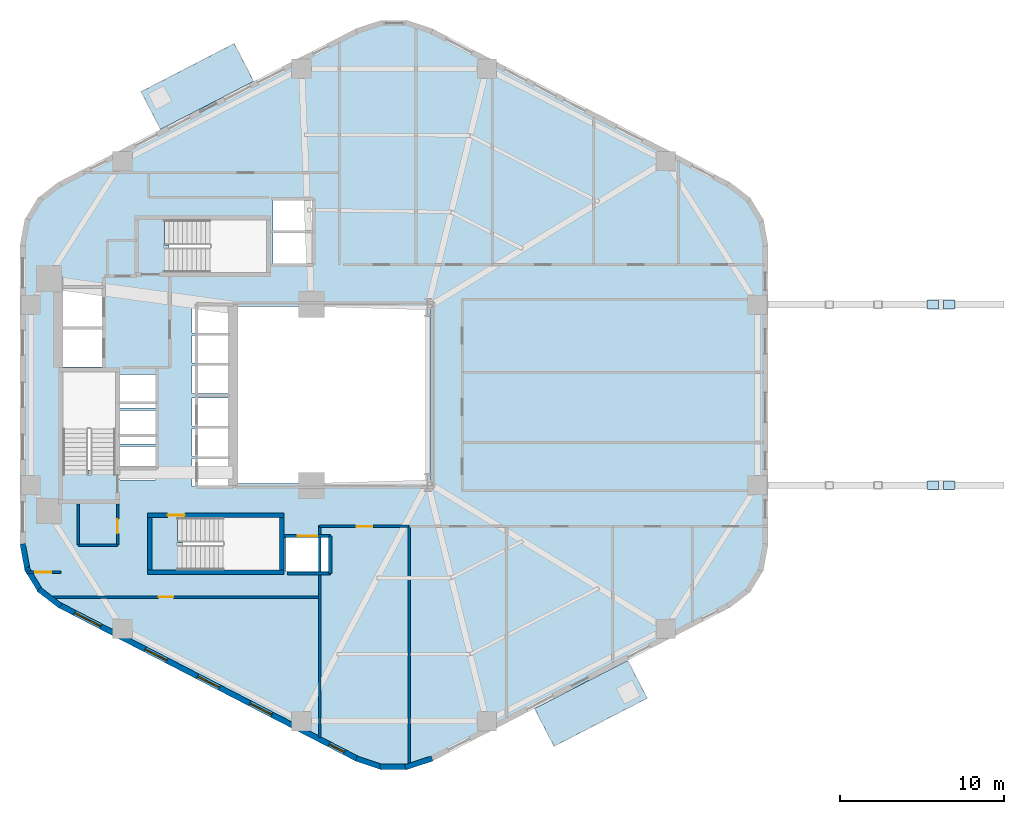
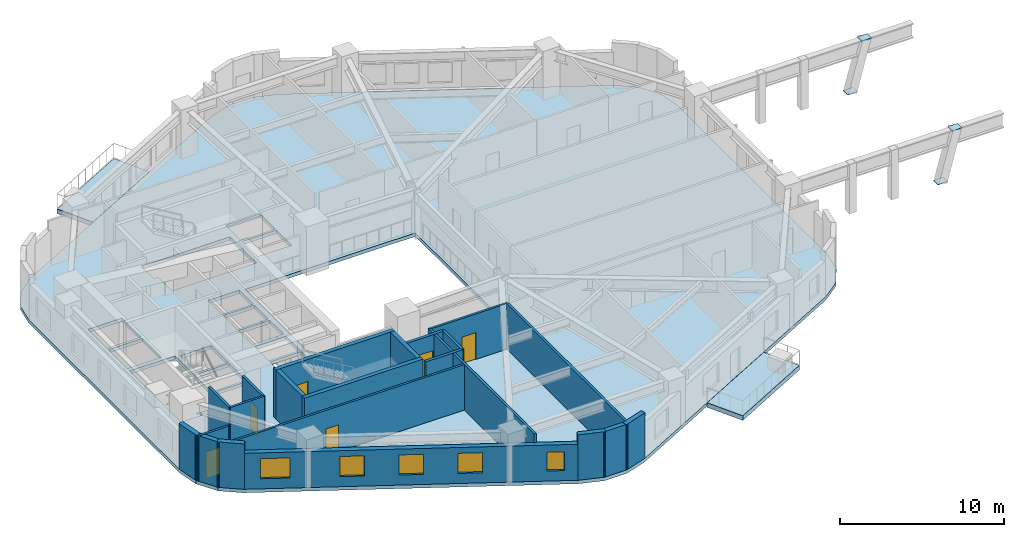
# One storey, part 2 of 8: 22 walls, 6 doors, 5 windows, 4 plates, 3 slabs, 11 openings.
"""IFC4 building model written with IfcOpenShell, lengths in metres."""

from ifc_helpers import new_model, si_unit, direction, frame, frame_2d, origin, origin_2d, place, context, subcontext, project, spatial, polyline, rectangle, outline, extrude, material, layer, layer_set, type_object, element, fill, save


model = new_model("IFC4")

# Units and contexts
model_context = context("Model", 3, precision=1e-05, world=origin(), true_north=direction((0.0, 1.0)))
body_context = subcontext(model_context, "Body", "Model", "MODEL_VIEW")
ifc_project = project(units=[si_unit("LENGTHUNIT", "METRE"), si_unit("AREAUNIT", "SQUARE_METRE"), si_unit("VOLUMEUNIT", "CUBIC_METRE"), si_unit("PLANEANGLEUNIT", "RADIAN"), si_unit("MASSUNIT", "GRAM", prefix="KILO"), si_unit("THERMODYNAMICTEMPERATUREUNIT", "KELVIN"), si_unit("POWERUNIT", "WATT")], contexts=[model_context])

# Site, building, storey
site_placement = place(None, origin())
site = spatial("IfcSite", under=ifc_project, at=site_placement, CompositionType="ELEMENT")
building_placement = place(site_placement, origin())
building = spatial("IfcBuilding", under=site, at=building_placement, Name="Skarre Station Tower", CompositionType="ELEMENT")
storey_placement = place(building_placement, frame((0.0, 0.0, 45.25)))
storey = spatial("IfcBuildingStorey", under=building, at=storey_placement, Name="L11", CompositionType="ELEMENT", Elevation=45.25)

# Plates
ifc_material_1 = material(Name="Steel ASTM A572 Grade 50", Category="steel")
ifc_layer_1 = layer(ifc_material_1, 0.031982421875, Name="Steel ASTM A572 Grade 50")
ifc_layer_set_1 = layer_set([ifc_layer_1], Name="Steel ASTM A572 Grade 50")
plate_type = type_object("IfcPlateType", Name="Exoskeleton Strut Cap Plate 700x540x32", PredefinedType="USERDEFINED", material=ifc_layer_set_1)
for number, where, z_axis, x_axis, name in (
    (1, (70.343017578125, 18.47900390625, -0.2861328125), (0.0, 0.0, 1.0), (1.0, 0.0, 0.0), "L11 SB-1 Exoskeleton Tier-3 Base Gusset S1"),
    (2, (71.343017578125, 18.47900390625, 3.36376953125), (0.0, 0.0, 1.0), (1.0, 0.0, 0.0), "L11 SB-1 Exoskeleton Tier-3 Head Gusset S1"),
    (3, (70.343017578125, 29.52099609375, -0.2861328125), (0.0, 0.0, 1.0), (1.0, 0.0, 0.0), "L11 SB-1 Exoskeleton Tier-3 Base Gusset S2"),
    (4, (71.343017578125, 29.52099609375, 3.36376953125), (0.0, 0.0, 1.0), (1.0, 0.0, 0.0), "L11 SB-1 Exoskeleton Tier-3 Head Gusset S2"),
):
    element("IfcPlate", number, at=place(storey_placement, frame(where, z_axis=z_axis, x_axis=x_axis)), inside=storey, type_object=plate_type, Name=name, ObjectType="STIFFENER_PLATE", PredefinedType="USERDEFINED", context=body_context, shape_type="SweptSolid", body=[
        extrude(rectangle(XDim=0.699951171875, YDim=0.5400390625, at=origin_2d()), origin(), (0.0, 0.0, 1.0), 0.031982421875),
    ])

# Slabs
ifc_material_2 = material(Name="Precast concrete C50/60", Category="concrete")
ifc_layer_2 = layer(ifc_material_2, 0.340087890625, Name="Precast concrete C50/60")
ifc_layer_set_2 = layer_set([ifc_layer_2], Name="Precast concrete C50/60")
slab_type_1 = type_object("IfcSlabType", Name="Planted Tree-Balcony Cantilever Slab 340", PredefinedType="FLOOR", material=ifc_layer_set_2)
slab_1_placement = place(storey_placement, frame((0.0, 0.0, -0.340087890625)))
element("IfcSlab", 5, at=slab_1_placement, inside=storey, type_object=slab_type_1, Name="L11 Planted Tree-Balcony Deck TB-L11-F1", PredefinedType="FLOOR", context=body_context, shape_type="SweptSolid", body=[
    extrude(outline(polyline([(28.80810546875, 43.176025390625), (23.1201171875, 40.240966796875), (21.931884765625, 42.54296875), (27.6201171875, 45.47802734375), (28.80810546875, 43.176025390625)])), origin(), (0.0, 0.0, 1.0), 0.340087890625),
])
slab_2_placement = place(storey_placement, frame((0.0, 0.0, -0.340087890625)))
element("IfcSlab", 6, at=slab_2_placement, inside=storey, type_object=slab_type_1, Name="L11 Planted Tree-Balcony Deck TB-L11-F4", PredefinedType="FLOOR", context=body_context, shape_type="SweptSolid", body=[
    extrude(outline(polyline([(45.991943359375, 4.823974609375), (51.679931640625, 7.759033203125), (52.867919921875, 5.45703125), (47.179931640625, 2.52197265625), (45.991943359375, 4.823974609375)])), origin(), (0.0, 0.0, 1.0), 0.340087890625),
])
ifc_material_3 = material(Name="Concrete C50/60", Category="concrete")
ifc_layer_3 = layer(ifc_material_3, 0.260009765625, Name="Concrete C50/60")
ifc_layer_set_3 = layer_set([ifc_layer_3], Name="Concrete C50/60")
slab_type_2 = type_object("IfcSlabType", Name="Tower Typical Composite Floor Slab 260", PredefinedType="FLOOR", material=ifc_layer_set_3)
slab_3_placement = place(storey_placement, frame((0.0, 0.0, -0.260009765625)))
element("IfcSlab", 7, at=slab_3_placement, inside=storey, type_object=slab_type_2, Name="L11 Zone 1 Structural Floor Slab", PredefinedType="FLOOR", context=body_context, shape_type="SweptSolid", body=[
    extrude(outline(polyline([(60.262939453125, 33.201904296875), (59.98193359375, 34.72412109375), (59.177001953125, 36.044921875), (57.9541015625, 36.991943359375), (39.708984375, 46.407958984375), (38.196044921875, 46.906005859375), (36.60400390625, 46.906005859375), (35.091064453125, 46.407958984375), (16.845947265625, 36.991943359375), (15.623046875, 36.044921875), (14.818115234375, 34.72412109375), (14.537109375, 33.201904296875), (14.537109375, 14.798095703125), (14.818115234375, 13.27587890625), (15.623046875, 11.955078125), (16.845947265625, 11.008056640625), (35.091064453125, 1.592041015625), (36.60400390625, 1.093994140625), (38.196044921875, 1.093994140625), (39.708984375, 1.592041015625), (57.9541015625, 11.008056640625), (59.177001953125, 11.955078125), (59.98193359375, 13.27587890625), (60.262939453125, 14.798095703125), (60.262939453125, 33.201904296875)]), holes=[polyline([(18.669921875, 19.419921875), (18.669921875, 19.123046875), (17.14990234375, 19.123046875), (17.14990234375, 25.39990234375), (20.35009765625, 25.39990234375), (20.35009765625, 19.419921875), (18.669921875, 19.419921875)]), polyline([(24.449951171875, 14.97998046875), (24.153076171875, 14.97998046875), (24.153076171875, 16.5), (30.39990234375, 16.5), (30.39990234375, 13.300048828125), (24.449951171875, 13.300048828125), (24.449951171875, 14.97998046875)]), polyline([(23.64990234375, 33.179931640625), (23.35302734375, 33.179931640625), (23.35302734375, 34.699951171875), (29.60009765625, 34.699951171875), (29.60009765625, 31.5), (23.64990234375, 31.5), (23.64990234375, 33.179931640625)]), polyline([(17.14990234375, 28.0), (19.550048828125, 28.0), (19.550048828125, 25.699951171875), (17.14990234375, 25.699951171875), (17.14990234375, 28.0)]), polyline([(17.14990234375, 30.5), (19.550048828125, 30.5), (19.550048828125, 28.199951171875), (17.14990234375, 28.199951171875), (17.14990234375, 30.5)]), polyline([(30.800048828125, 15.300048828125), (33.39990234375, 15.300048828125), (33.39990234375, 13.199951171875), (30.800048828125, 13.199951171875), (30.800048828125, 15.300048828125)]), polyline([(25.050048828125, 20.10009765625), (27.25, 20.10009765625), (27.25, 18.39990234375), (25.050048828125, 18.39990234375), (25.050048828125, 20.10009765625)]), polyline([(25.050048828125, 21.949951171875), (27.25, 21.949951171875), (27.25, 20.25), (25.050048828125, 20.25), (25.050048828125, 21.949951171875)]), polyline([(25.050048828125, 23.800048828125), (27.25, 23.800048828125), (27.25, 22.10009765625), (25.050048828125, 22.10009765625), (25.050048828125, 23.800048828125)]), polyline([(25.050048828125, 25.800048828125), (27.25, 25.800048828125), (27.25, 24.10009765625), (25.050048828125, 24.10009765625), (25.050048828125, 25.800048828125)]), polyline([(25.050048828125, 27.64990234375), (27.25, 27.64990234375), (27.25, 25.949951171875), (25.050048828125, 25.949951171875), (25.050048828125, 27.64990234375)]), polyline([(25.050048828125, 29.5), (27.25, 29.5), (27.25, 27.800048828125), (25.050048828125, 27.800048828125), (25.050048828125, 29.5)]), polyline([(20.64990234375, 20.85009765625), (22.800048828125, 20.85009765625), (22.800048828125, 18.800048828125), (20.64990234375, 18.800048828125), (20.64990234375, 20.85009765625)]), polyline([(20.64990234375, 23.050048828125), (22.800048828125, 23.050048828125), (22.800048828125, 21.0), (20.64990234375, 21.0), (20.64990234375, 23.050048828125)]), polyline([(20.64990234375, 25.25), (22.800048828125, 25.25), (22.800048828125, 23.199951171875), (20.64990234375, 23.199951171875), (20.64990234375, 25.25)]), polyline([(30.0, 33.89990234375), (32.39990234375, 33.89990234375), (32.39990234375, 32.050048828125), (30.0, 32.050048828125), (30.0, 33.89990234375)]), polyline([(30.0, 35.89990234375), (32.39990234375, 35.89990234375), (32.39990234375, 34.050048828125), (30.0, 34.050048828125), (30.0, 35.89990234375)]), polyline([(27.60009765625, 29.39990234375), (39.60009765625, 29.39990234375), (39.60009765625, 18.60009765625), (27.60009765625, 18.60009765625), (27.60009765625, 29.39990234375)])]), origin(), (0.0, 0.0, 1.0), 0.260009765625),
])

# Walls
ifc_material_4 = material(Name="Acoustic Steel-Stud Gypsum Partition", Category="steel")
ifc_layer_4 = layer(ifc_material_4, 0.14990234375, Name="Acoustic Steel-Stud Gypsum Partition")
ifc_layer_set_4 = layer_set([ifc_layer_4], Name="Acoustic Steel-Stud Gypsum Partition")
wall_type_1 = type_object("IfcWallType", Name="Fire-Rated Corridor Acoustic Partition 150", PredefinedType="PARTITIONING", material=ifc_layer_set_4)
wall_1_placement = place(storey_placement, frame((18.10009765625, 17.340087890625, 0.0), z_axis=(0.0, 0.0, 1.0), x_axis=(0.0, -1.0, 0.0)))
element("IfcWall", 8, at=wall_1_placement, inside=storey, type_object=wall_type_1, Name="L11 Interior Partition WL-PT-L11-CSVC-W", PredefinedType="PARTITIONING", context=body_context, shape_type="SweptSolid", body=[
    extrude(rectangle(XDim=2.52001953125, YDim=0.14990234375, at=frame_2d((1.260009765625, 0.0))), origin(), (0.0, 0.0, 1.0), 3.389892578125),
])
wall_2_placement = place(storey_placement, frame((18.10009765625, 14.820068359375, 0.0), z_axis=(0.0, 0.0, 1.0), x_axis=(1.0, 0.0, 0.0)))
element("IfcWall", 9, at=wall_2_placement, inside=storey, type_object=wall_type_1, Name="L11 Interior Partition WL-PT-L11-CSVC-S", PredefinedType="PARTITIONING", context=body_context, shape_type="SweptSolid", body=[
    extrude(rectangle(XDim=2.389892578125, YDim=0.14990234375, at=frame_2d((1.19482421875, 0.0))), origin(), (0.0, 0.0, 1.0), 3.389892578125),
])

# Wall, opening, door
wall_3_placement = place(storey_placement, frame((20.489990234375, 14.820068359375, 0.0), z_axis=(0.0, 0.0, 1.0), x_axis=(0.0, 1.0, 0.0)))
wall_3 = element("IfcWall", 10, at=wall_3_placement, inside=storey, type_object=wall_type_1, Name="L11 Interior Partition WL-PT-L11-CSVC-E", PredefinedType="PARTITIONING", context=body_context, shape_type="SweptSolid", body=[
    extrude(rectangle(XDim=2.52001953125, YDim=0.14990234375, at=frame_2d((1.260009765625, 0.0))), origin(), (0.0, 0.0, 1.0), 3.389892578125),
])
opening_1_placement = place(wall_3_placement, frame((0.719970703125, 0.0, 0.0)))
opening_1 = element("IfcOpeningElement", 11, at=opening_1_placement, cuts=wall_3, Name="Opening DR-SVC86", PredefinedType="OPENING", context=body_context, shape_type="SweptSolid", body=[
    extrude(rectangle(XDim=0.860107421875, YDim=2.0, at=frame_2d((0.43017578125, 1.0))), frame((0.0, 0.0849609375, 0.0), z_axis=(0.0, -1.0, 0.0), x_axis=(1.0, 0.0, 0.0)), (0.0, 0.0, 1.0), 0.169921875),
])
ifc_material_5 = material(Name="Powder-Coated Hollow-Metal Acoustic Fire Leaf", Category="steel")
door_type_1 = type_object("IfcDoorType", Name="Compact Riser Fire Door FD60 860x2100", OperationType="SINGLE_SWING_LEFT", PredefinedType="DOOR", material=ifc_material_5)
door_1_placement = place(opening_1_placement, origin())
door_1 = element("IfcDoor", 12, at=door_1_placement, inside=storey, type_object=door_type_1, Name="L11 Core Staff Toilet Door", OperationType="SINGLE_SWING_LEFT", OverallHeight=2.0, OverallWidth=0.860107421875, PredefinedType="DOOR", context=body_context, shape_type="SweptSolid", body=[
    extrude(rectangle(XDim=0.860107421875, YDim=2.0, at=frame_2d((0.43017578125, 1.0))), frame((0.0, 0.02490234375, 0.0), z_axis=(0.0, -1.0, 0.0), x_axis=(1.0, 0.0, 0.0)), (0.0, 0.0, 1.0), 0.050048828125),
])
fill(opening_1, door_1)

wall_4_placement = place(storey_placement, frame((16.487060546875, 11.639892578125, 0.0), z_axis=(0.0, 0.0, 1.0), x_axis=(1.0, 0.0, 0.0)))
wall_4 = element("IfcWall", 13, at=wall_4_placement, inside=storey, type_object=wall_type_1, Name="L11 Interior Partition WL-PT-L11-SWP-N", PredefinedType="PARTITIONING", context=body_context, shape_type="SweptSolid", body=[
    extrude(rectangle(XDim=16.363037109375, YDim=0.14990234375, at=frame_2d((8.181640625, 0.0))), origin(), (0.0, 0.0, 1.0), 3.389892578125),
])
opening_2_placement = place(wall_4_placement, frame((6.512939453125, 0.0, 0.0)))
opening_2 = element("IfcOpeningElement", 14, at=opening_2_placement, cuts=wall_4, Name="Opening DR-SVC90", PredefinedType="OPENING", context=body_context, shape_type="SweptSolid", body=[
    extrude(rectangle(XDim=0.89990234375, YDim=2.0, at=frame_2d((0.449951171875, 1.0))), frame((0.0, 0.0849609375, 0.0), z_axis=(0.0, -1.0, 0.0), x_axis=(1.0, 0.0, 0.0)), (0.0, 0.0, 1.0), 0.169921875),
])
door_type_2 = type_object("IfcDoorType", Name="Service & Riser Fire Door FD60 900x2100", OperationType="SINGLE_SWING_LEFT", PredefinedType="DOOR", material=ifc_material_5)
door_2_placement = place(opening_2_placement, origin())
door_2 = element("IfcDoor", 15, at=door_2_placement, inside=storey, type_object=door_type_2, Name="L11 Floor Public Toilets Door", OperationType="SINGLE_SWING_LEFT", OverallHeight=2.0, OverallWidth=0.89990234375, PredefinedType="DOOR", context=body_context, shape_type="SweptSolid", body=[
    extrude(rectangle(XDim=0.89990234375, YDim=2.0, at=frame_2d((0.449951171875, 1.0))), frame((0.0, 0.02490234375, 0.0), z_axis=(0.0, -1.0, 0.0), x_axis=(1.0, 0.0, 0.0)), (0.0, 0.0, 1.0), 0.050048828125),
])
fill(opening_2, door_2)

wall_5_placement = place(storey_placement, frame((17.02001953125, 13.159912109375, 0.0), z_axis=(0.0, 0.0, 1.0), x_axis=(-1.0, 0.0, 0.0)))
wall_5 = element("IfcWall", 16, at=wall_5_placement, inside=storey, type_object=wall_type_1, Name="L11 Interior Partition WL-PT-L11-WW1-CW", PredefinedType="PARTITIONING", context=body_context, shape_type="SweptSolid", body=[
    extrude(rectangle(XDim=2.1201171875, YDim=0.14990234375, at=frame_2d((1.06005859375, 0.0))), origin(), (0.0, 0.0, 1.0), 3.389892578125),
])
opening_3_placement = place(wall_5_placement, frame((0.596923828125, 0.0, 0.0)))
opening_3 = element("IfcOpeningElement", 17, at=opening_3_placement, cuts=wall_5, Name="Opening DR-FD60", PredefinedType="OPENING", context=body_context, shape_type="SweptSolid", body=[
    extrude(rectangle(XDim=0.9599609375, YDim=2.0, at=frame_2d((0.47998046875, 1.0))), frame((0.0, 0.0849609375, 0.0), z_axis=(0.0, -1.0, 0.0), x_axis=(1.0, 0.0, 0.0)), (0.0, 0.0, 1.0), 0.169921875),
])
ifc_material_6 = material(Name="Nordic White-Oak Veneer Solid-Core Fire Leaf", Category="wood")
door_type_3 = type_object("IfcDoorType", Name="Corridor Suite Entry Fire Door FD60 960x2150", OperationType="SINGLE_SWING_LEFT", PredefinedType="DOOR", material=ifc_material_6)
door_3_placement = place(opening_3_placement, origin())
door_3 = element("IfcDoor", 18, at=door_3_placement, inside=storey, type_object=door_type_3, Name="L11 WW1 Entry Door", OperationType="SINGLE_SWING_LEFT", OverallHeight=2.0, OverallWidth=0.9599609375, PredefinedType="DOOR", context=body_context, shape_type="SweptSolid", body=[
    extrude(rectangle(XDim=0.9599609375, YDim=2.0, at=frame_2d((0.47998046875, 1.0))), frame((0.0, 0.02490234375, 0.0), z_axis=(0.0, -1.0, 0.0), x_axis=(1.0, 0.0, 0.0)), (0.0, 0.0, 1.0), 0.050048828125),
])
fill(opening_3, door_3)

wall_6_placement = place(storey_placement, frame((32.85009765625, 15.9599609375, 0.0), z_axis=(0.0, 0.0, 1.0), x_axis=(1.0, 0.0, 0.0)))
wall_6 = element("IfcWall", 19, at=wall_6_placement, inside=storey, type_object=wall_type_1, Name="L11 Interior Partition WL-PT-L11-SW1-CW", PredefinedType="PARTITIONING", context=body_context, shape_type="SweptSolid", body=[
    extrude(rectangle(XDim=5.4609375, YDim=0.14990234375, at=frame_2d((2.73046875, 0.0))), origin(), (0.0, 0.0, 1.0), 3.389892578125),
])
opening_4_placement = place(wall_6_placement, frame((2.2509765625, 0.0, 0.0)))
opening_4 = element("IfcOpeningElement", 20, at=opening_4_placement, cuts=wall_6, Name="Opening DR-FD60", PredefinedType="OPENING", context=body_context, shape_type="SweptSolid", body=[
    extrude(rectangle(XDim=0.9599609375, YDim=2.0, at=frame_2d((0.47998046875, 1.0))), frame((0.0, 0.0849609375, 0.0), z_axis=(0.0, -1.0, 0.0), x_axis=(1.0, 0.0, 0.0)), (0.0, 0.0, 1.0), 0.169921875),
])
door_4_placement = place(opening_4_placement, origin())
door_4 = element("IfcDoor", 21, at=door_4_placement, inside=storey, type_object=door_type_3, Name="L11 SW1 Entry Door", OperationType="SINGLE_SWING_LEFT", OverallHeight=2.0, OverallWidth=0.9599609375, PredefinedType="DOOR", context=body_context, shape_type="SweptSolid", body=[
    extrude(rectangle(XDim=0.9599609375, YDim=2.0, at=frame_2d((0.47998046875, 1.0))), frame((0.0, 0.02490234375, 0.0), z_axis=(0.0, -1.0, 0.0), x_axis=(1.0, 0.0, 0.0)), (0.0, 0.0, 1.0), 0.050048828125),
])
fill(opening_4, door_4)

# Wall, openings, windows
ifc_material_7 = material(Name="Precast concrete C45/55", Category="concrete")
ifc_layer_5 = layer(ifc_material_7, 0.340087890625, Name="Precast concrete C45/55")
ifc_layer_set_5 = layer_set([ifc_layer_5], Name="Precast concrete C45/55")
wall_type_2 = type_object("IfcWallType", Name="Nordic Honed Precast Facet Wall 340", PredefinedType="STANDARD", material=ifc_layer_set_5)
wall_7_placement = place(storey_placement, frame((35.1689453125, 1.742919921875, 0.0), z_axis=(0.0, 0.0, 1.0), x_axis=(-0.888634413993, 0.458616264721, 0.0)))
wall_7 = element("IfcWall", 22, at=wall_7_placement, inside=storey, type_object=wall_type_2, Name="L11 Facet 3 Nordic Precast Masonry Wall", PredefinedType="STANDARD", context=body_context, shape_type="SweptSolid", body=[
    extrude(rectangle(XDim=20.53125, YDim=0.340087890625, at=frame_2d((10.265625, 0.0))), origin(), (0.0, 0.0, 1.0), 2.68408203125),
])
opening_5_placement = place(wall_7_placement, frame((0.902099609375, 0.0, 0.75)))
opening_5 = element("IfcOpeningElement", 23, at=opening_5_placement, cuts=wall_7, Name="Opening WN-SLT", PredefinedType="OPENING", context=body_context, shape_type="SweptSolid", body=[
    extrude(rectangle(XDim=1.050048828125, YDim=1.39990234375, at=frame_2d((0.52490234375, 0.699951171875))), frame((0.0, 0.179931640625, 0.0), z_axis=(0.0, -1.0, 0.0), x_axis=(1.0, 0.0, 0.0)), (0.0, 0.0, 1.0), 0.360107421875),
])
opening_6_placement = place(wall_7_placement, frame((5.903076171875, 0.0, 0.75)))
opening_6 = element("IfcOpeningElement", 24, at=opening_6_placement, cuts=wall_7, Name="Opening WN-Z1B", PredefinedType="OPENING", context=body_context, shape_type="SweptSolid", body=[
    extrude(rectangle(XDim=1.5, YDim=1.5, at=frame_2d((0.75, 0.75))), frame((0.0, 0.179931640625, 0.0), z_axis=(0.0, -1.0, 0.0), x_axis=(1.0, 0.0, 0.0)), (0.0, 0.0, 1.0), 0.360107421875),
])
opening_7_placement = place(wall_7_placement, frame((9.51611328125, 0.0, 0.75)))
opening_7 = element("IfcOpeningElement", 25, at=opening_7_placement, cuts=wall_7, Name="Opening WN-Z1B", PredefinedType="OPENING", context=body_context, shape_type="SweptSolid", body=[
    extrude(rectangle(XDim=1.5, YDim=1.5, at=frame_2d((0.75, 0.75))), frame((0.0, 0.179931640625, 0.0), z_axis=(0.0, -1.0, 0.0), x_axis=(1.0, 0.0, 0.0)), (0.0, 0.0, 1.0), 0.360107421875),
])
opening_8_placement = place(wall_7_placement, frame((13.12890625, 0.0, 0.75)))
opening_8 = element("IfcOpeningElement", 26, at=opening_8_placement, cuts=wall_7, Name="Opening WN-Z1B", PredefinedType="OPENING", context=body_context, shape_type="SweptSolid", body=[
    extrude(rectangle(XDim=1.5, YDim=1.5, at=frame_2d((0.75, 0.75))), frame((0.0, 0.179931640625, 0.0), z_axis=(0.0, -1.0, 0.0), x_axis=(1.0, 0.0, 0.0)), (0.0, 0.0, 1.0), 0.360107421875),
])
opening_9_placement = place(wall_7_placement, frame((17.673095703125, 0.0, 0.75)))
opening_9 = element("IfcOpeningElement", 27, at=opening_9_placement, cuts=wall_7, Name="Opening WN-Z1A", PredefinedType="OPENING", context=body_context, shape_type="SweptSolid", body=[
    extrude(rectangle(XDim=1.800048828125, YDim=1.5, at=frame_2d((0.89990234375, 0.75))), frame((0.0, 0.179931640625, 0.0), z_axis=(0.0, -1.0, 0.0), x_axis=(1.0, 0.0, 0.0)), (0.0, 0.0, 1.0), 0.360107421875),
])
ifc_material_8 = material(Name="Low-Iron Triple Glazing with Bronze Anodized Frame", Category="glass")
window_type_1 = type_object("IfcWindowType", Name="Nordic Corner Slot Window 1050x1400", PartitioningType="SINGLE_PANEL", PredefinedType="WINDOW", material=ifc_material_8)
window_1_placement = place(opening_5_placement, origin())
window_1 = element("IfcWindow", 28, at=window_1_placement, inside=storey, type_object=window_type_1, Name="L11 Facade Window WL-FAC-L11-F3-1", OverallHeight=1.39990234375, OverallWidth=1.050048828125, PartitioningType="SINGLE_PANEL", PredefinedType="WINDOW", context=body_context, shape_type="SweptSolid", body=[
    extrude(rectangle(XDim=1.050048828125, YDim=1.39990234375, at=frame_2d((0.52490234375, 0.699951171875))), frame((0.0, 0.030029296875, 0.0), z_axis=(0.0, -1.0, 0.0), x_axis=(1.0, 0.0, 0.0)), (0.0, 0.0, 1.0), 0.06005859375),
])
fill(opening_5, window_1)
window_type_2 = type_object("IfcWindowType", Name="Nordic Punched Triple-Glazed Window 1500x1500", PartitioningType="SINGLE_PANEL", PredefinedType="WINDOW", material=ifc_material_8)
window_2_placement = place(opening_6_placement, origin())
window_2 = element("IfcWindow", 29, at=window_2_placement, inside=storey, type_object=window_type_2, Name="L11 Facade Window WL-FAC-L11-F3-2", OverallHeight=1.5, OverallWidth=1.5, PartitioningType="SINGLE_PANEL", PredefinedType="WINDOW", context=body_context, shape_type="SweptSolid", body=[
    extrude(rectangle(XDim=1.5, YDim=1.5, at=frame_2d((0.75, 0.75))), frame((0.0, 0.030029296875, 0.0), z_axis=(0.0, -1.0, 0.0), x_axis=(1.0, 0.0, 0.0)), (0.0, 0.0, 1.0), 0.06005859375),
])
fill(opening_6, window_2)
window_3_placement = place(opening_7_placement, origin())
window_3 = element("IfcWindow", 30, at=window_3_placement, inside=storey, type_object=window_type_2, Name="L11 Facade Window WL-FAC-L11-F3-3", OverallHeight=1.5, OverallWidth=1.5, PartitioningType="SINGLE_PANEL", PredefinedType="WINDOW", context=body_context, shape_type="SweptSolid", body=[
    extrude(rectangle(XDim=1.5, YDim=1.5, at=frame_2d((0.75, 0.75))), frame((0.0, 0.030029296875, 0.0), z_axis=(0.0, -1.0, 0.0), x_axis=(1.0, 0.0, 0.0)), (0.0, 0.0, 1.0), 0.06005859375),
])
fill(opening_7, window_3)
window_4_placement = place(opening_8_placement, origin())
window_4 = element("IfcWindow", 31, at=window_4_placement, inside=storey, type_object=window_type_2, Name="L11 Facade Window WL-FAC-L11-F3-4", OverallHeight=1.5, OverallWidth=1.5, PartitioningType="SINGLE_PANEL", PredefinedType="WINDOW", context=body_context, shape_type="SweptSolid", body=[
    extrude(rectangle(XDim=1.5, YDim=1.5, at=frame_2d((0.75, 0.75))), frame((0.0, 0.030029296875, 0.0), z_axis=(0.0, -1.0, 0.0), x_axis=(1.0, 0.0, 0.0)), (0.0, 0.0, 1.0), 0.06005859375),
])
fill(opening_8, window_4)
window_type_3 = type_object("IfcWindowType", Name="Nordic Punched Triple-Glazed Window 1800x1500", PartitioningType="SINGLE_PANEL", PredefinedType="WINDOW", material=ifc_material_8)
window_5_placement = place(opening_9_placement, origin())
window_5 = element("IfcWindow", 32, at=window_5_placement, inside=storey, type_object=window_type_3, Name="L11 Facade Window WL-FAC-L11-F3-5", OverallHeight=1.5, OverallWidth=1.800048828125, PartitioningType="SINGLE_PANEL", PredefinedType="WINDOW", context=body_context, shape_type="SweptSolid", body=[
    extrude(rectangle(XDim=1.800048828125, YDim=1.5, at=frame_2d((0.89990234375, 0.75))), frame((0.0, 0.030029296875, 0.0), z_axis=(0.0, -1.0, 0.0), x_axis=(1.0, 0.0, 0.0)), (0.0, 0.0, 1.0), 0.06005859375),
])
fill(opening_9, window_5)

# Walls
ifc_layer_6 = layer(ifc_material_7, 0.330078125, Name="Precast concrete C45/55")
ifc_layer_set_6 = layer_set([ifc_layer_6], Name="Precast concrete C45/55")
wall_type_3 = type_object("IfcWallType", Name="Nordic Rounded Corner Precast Wall 330", PredefinedType="STANDARD", material=ifc_layer_set_6)
wall_8_placement = place(storey_placement, frame((16.998046875, 11.09912109375, 0.0), z_axis=(0.0, 0.0, 1.0), x_axis=(-0.790691856293, 0.61221433207, 0.0)))
element("IfcWall", 33, at=wall_8_placement, inside=storey, type_object=wall_type_3, Name="L11 Rounded Corner Precast Wall F3-1", PredefinedType="STANDARD", context=body_context, shape_type="SweptSolid", body=[
    extrude(rectangle(XDim=1.67578125, YDim=0.330078125, at=frame_2d((0.837890625, 0.0))), origin(), (0.0, 0.0, 1.0), 3.389892578125),
])
wall_9_placement = place(storey_placement, frame((15.798095703125, 11.985107421875, 0.0), z_axis=(0.0, 0.0, 1.0), x_axis=(-0.520584129191, 0.853810379671, 0.0)))
element("IfcWall", 34, at=wall_9_placement, inside=storey, type_object=wall_type_3, Name="L11 Rounded Corner Precast Wall F3-2", PredefinedType="STANDARD", context=body_context, shape_type="SweptSolid", body=[
    extrude(rectangle(XDim=1.677001953125, YDim=0.330078125, at=frame_2d((0.83837890625, 0.0))), origin(), (0.0, 0.0, 1.0), 3.389892578125),
])
wall_10_placement = place(storey_placement, frame((14.991943359375, 13.241943359375, 0.0), z_axis=(0.0, 0.0, 1.0), x_axis=(-0.181714143354, 0.983351397063, 0.0)))
element("IfcWall", 35, at=wall_10_placement, inside=storey, type_object=wall_type_3, Name="L11 Rounded Corner Precast Wall F3-3", PredefinedType="STANDARD", context=body_context, shape_type="SweptSolid", body=[
    extrude(rectangle(XDim=1.677978515625, YDim=0.330078125, at=frame_2d((0.8388671875, 0.0))), origin(), (0.0, 0.0, 1.0), 3.389892578125),
])
wall_11_placement = place(storey_placement, frame((39.718994140625, 1.76904296875, 0.0), z_axis=(0.0, 0.0, 1.0), x_axis=(-0.94976901097, -0.312951794691, 0.0)))
element("IfcWall", 36, at=wall_11_placement, inside=storey, type_object=wall_type_3, Name="L11 Rounded Corner Precast Wall F4-1", PredefinedType="STANDARD", context=body_context, shape_type="SweptSolid", body=[
    extrude(rectangle(XDim=1.722412109375, YDim=0.330078125, at=frame_2d((0.861328125, 0.0))), origin(), (0.0, 0.0, 1.0), 3.389892578125),
])
wall_12_placement = place(storey_placement, frame((38.260986328125, 1.259033203125, 0.0), z_axis=(0.0, 0.0, 1.0), x_axis=(-1.0, 0.0, 0.0)))
element("IfcWall", 37, at=wall_12_placement, inside=storey, type_object=wall_type_3, Name="L11 Rounded Corner Precast Wall F4-2", PredefinedType="STANDARD", context=body_context, shape_type="SweptSolid", body=[
    extrude(rectangle(XDim=1.721923828125, YDim=0.330078125, at=frame_2d((0.86083984375, 0.0))), origin(), (0.0, 0.0, 1.0), 3.389892578125),
])
wall_13_placement = place(storey_placement, frame((36.717041015625, 1.22998046875, 0.0), z_axis=(0.0, 0.0, 1.0), x_axis=(-0.94976901097, 0.312951794691, 0.0)))
element("IfcWall", 38, at=wall_13_placement, inside=storey, type_object=wall_type_3, Name="L11 Rounded Corner Precast Wall F4-3", PredefinedType="STANDARD", context=body_context, shape_type="SweptSolid", body=[
    extrude(rectangle(XDim=1.722412109375, YDim=0.330078125, at=frame_2d((0.861328125, 0.0))), origin(), (0.0, 0.0, 1.0), 3.389892578125),
])
ifc_layer_7 = layer(ifc_material_3, 0.280029296875, Name="Concrete C50/60")
ifc_layer_set_7 = layer_set([ifc_layer_7], Name="Concrete C50/60")
wall_type_4 = type_object("IfcWallType", Name="RC Core Shear Wall 280", PredefinedType="SHEAR", material=ifc_layer_set_7)
wall_14_placement = place(storey_placement, frame((22.320068359375, 13.159912109375, 0.0), z_axis=(0.0, 0.0, 1.0), x_axis=(1.0, 0.0, 0.0)))
element("IfcWall", 39, at=wall_14_placement, inside=storey, type_object=wall_type_4, Name="L11 Stair ST-2 South Shear Wall", PredefinedType="SHEAR", context=body_context, shape_type="SweptSolid", body=[
    extrude(rectangle(XDim=8.35986328125, YDim=0.280029296875, at=frame_2d((4.179931640625, 0.0))), origin(), (0.0, 0.0, 1.0), 3.64990234375),
])

# Wall, opening, door
wall_15_placement = place(storey_placement, frame((30.679931640625, 16.639892578125, 0.0), z_axis=(0.0, 0.0, 1.0), x_axis=(-1.0, 0.0, 0.0)))
wall_15 = element("IfcWall", 40, at=wall_15_placement, inside=storey, type_object=wall_type_4, Name="L11 Stair ST-2 North Shear Wall", PredefinedType="SHEAR", context=body_context, shape_type="SweptSolid", body=[
    extrude(rectangle(XDim=8.35986328125, YDim=0.280029296875, at=frame_2d((4.179931640625, 0.0))), origin(), (0.0, 0.0, 1.0), 3.64990234375),
])
opening_10_placement = place(wall_15_placement, frame((6.080078125, 0.0, 0.0)))
opening_10 = element("IfcOpeningElement", 41, at=opening_10_placement, cuts=wall_15, Name="Opening DR-FD90", PredefinedType="OPENING", context=body_context, shape_type="SweptSolid", body=[
    extrude(rectangle(XDim=1.050048828125, YDim=2.0, at=frame_2d((0.52490234375, 1.0))), frame((0.0, 0.14990234375, 0.0), z_axis=(0.0, -1.0, 0.0), x_axis=(1.0, 0.0, 0.0)), (0.0, 0.0, 1.0), 0.300048828125),
])
ifc_material_9 = material(Name="Fire-Rated Insulated Steel Frame & Timber Core Leaf", Category="steel")
door_type_4 = type_object("IfcDoorType", Name="Stair & FSAE Lobby Fire Door FD90 1050x2150", OperationType="SINGLE_SWING_RIGHT", PredefinedType="DOOR", material=ifc_material_9)
door_5_placement = place(opening_10_placement, origin())
door_5 = element("IfcDoor", 42, at=door_5_placement, inside=storey, type_object=door_type_4, Name="L11 Stair ST-2 Exit Door", OperationType="SINGLE_SWING_RIGHT", OverallHeight=2.0, OverallWidth=1.050048828125, PredefinedType="DOOR", context=body_context, shape_type="SweptSolid", body=[
    extrude(rectangle(XDim=1.050048828125, YDim=2.0, at=frame_2d((0.52490234375, 1.0))), frame((0.0, 0.02490234375, 0.0), z_axis=(0.0, -1.0, 0.0), x_axis=(1.0, 0.0, 0.0)), (0.0, 0.0, 1.0), 0.050048828125),
])
fill(opening_10, door_5)

# Walls
for number, where, z_axis, x_axis, name in (
    (43, (22.4599609375, 16.5, 0.0), (0.0, 0.0, 1.0), (0.0, -1.0, 0.0), "L11 Stair ST-2 West Shear Wall"),
    (44, (30.5400390625, 13.300048828125, 0.0), (0.0, 0.0, 1.0), (0.0, 1.0, 0.0), "L11 Stair ST-2 East Shear Wall"),
):
    element("IfcWall", number, at=place(storey_placement, frame(where, z_axis=z_axis, x_axis=x_axis)), inside=storey, type_object=wall_type_4, Name=name, PredefinedType="SHEAR", context=body_context, shape_type="SweptSolid", body=[
        extrude(rectangle(XDim=3.199951171875, YDim=0.280029296875, at=frame_2d((1.60009765625, 0.0))), origin(), (0.0, 0.0, 1.0), 3.64990234375),
    ])

# Wall, opening, door
ifc_material_10 = material(Name="Gypsum Concrete Shaft Assembly C30/37", Category="concrete")
ifc_layer_8 = layer(ifc_material_10, 0.199951171875, Name="Gypsum Concrete Shaft Assembly C30/37")
ifc_layer_set_8 = layer_set([ifc_layer_8], Name="Gypsum Concrete Shaft Assembly C30/37")
wall_type_5 = type_object("IfcWallType", Name="Shaft & Core Fire Partition 200", PredefinedType="PARTITIONING", material=ifc_layer_set_8)
wall_16_placement = place(storey_placement, frame((33.5, 15.3798828125, 0.0), z_axis=(0.0, 0.0, 1.0), x_axis=(-1.0, 0.0, 0.0)))
wall_16 = element("IfcWall", 45, at=wall_16_placement, inside=storey, type_object=wall_type_5, Name="L11 Interior Partition WL-PT-L11-SV1-N", PredefinedType="PARTITIONING", context=body_context, shape_type="SweptSolid", body=[
    extrude(rectangle(XDim=2.820068359375, YDim=0.199951171875, at=frame_2d((1.41015625, 0.0))), origin(), (0.0, 0.0, 1.0), 3.389892578125),
])
opening_11_placement = place(wall_16_placement, frame((0.800048828125, 0.0, 0.0)))
opening_11 = element("IfcOpeningElement", 46, at=opening_11_placement, cuts=wall_16, Name="Opening LD-SV1", PredefinedType="OPENING", context=body_context, shape_type="SweptSolid", body=[
    extrude(rectangle(XDim=1.199951171875, YDim=2.199951171875, at=frame_2d((0.60009765625, 1.10009765625))), frame((0.0, 0.10986328125, 0.0), z_axis=(0.0, -1.0, 0.0), x_axis=(1.0, 0.0, 0.0)), (0.0, 0.0, 1.0), 0.219970703125),
])
ifc_material_11 = material(Name="Heavy-Gauge Brushed Stainless Steel Sliding Leaves", Category="steel")
door_type_5 = type_object("IfcDoorType", Name="Service Elevator Wide Sliding Landing Door 1200x2200", OperationType="SLIDING_TO_RIGHT", PredefinedType="DOOR", material=ifc_material_11)
door_6_placement = place(opening_11_placement, origin())
door_6 = element("IfcDoor", 47, at=door_6_placement, inside=storey, type_object=door_type_5, Name="L11 Service Lift LF-SV1 Landing Door", OperationType="SLIDING_TO_RIGHT", OverallHeight=2.199951171875, OverallWidth=1.199951171875, PredefinedType="DOOR", context=body_context, shape_type="SweptSolid", body=[
    extrude(rectangle(XDim=1.199951171875, YDim=2.199951171875, at=frame_2d((0.60009765625, 1.10009765625))), frame((0.0, 0.02490234375, 0.0), z_axis=(0.0, -1.0, 0.0), x_axis=(1.0, 0.0, 0.0)), (0.0, 0.0, 1.0), 0.050048828125),
])
fill(opening_11, door_6)

# Walls
wall_17_placement = place(storey_placement, frame((33.5, 13.080078125, 0.0), z_axis=(0.0, 0.0, 1.0), x_axis=(0.0, 1.0, 0.0)))
element("IfcWall", 48, at=wall_17_placement, inside=storey, type_object=wall_type_5, Name="L11 Interior Partition WL-PT-L11-SV1-E", PredefinedType="PARTITIONING", context=body_context, shape_type="SweptSolid", body=[
    extrude(rectangle(XDim=2.2998046875, YDim=0.199951171875, at=frame_2d((1.14990234375, 0.0))), origin(), (0.0, 0.0, 1.0), 3.389892578125),
])
wall_18_placement = place(storey_placement, frame((30.87890625, 13.080078125, 0.0), z_axis=(0.0, 0.0, 1.0), x_axis=(1.0, 0.0, 0.0)))
element("IfcWall", 49, at=wall_18_placement, inside=storey, type_object=wall_type_5, Name="L11 Interior Partition WL-PT-L11-SV1-S", PredefinedType="PARTITIONING", context=body_context, shape_type="SweptSolid", body=[
    extrude(rectangle(XDim=2.62109375, YDim=0.199951171875, at=frame_2d((1.310546875, 0.0))), origin(), (0.0, 0.0, 1.0), 3.389892578125),
])
ifc_layer_9 = layer(ifc_material_4, 0.1650390625, Name="Acoustic Steel-Stud Gypsum Partition")
ifc_layer_set_9 = layer_set([ifc_layer_9], Name="Acoustic Steel-Stud Gypsum Partition")
wall_type_6 = type_object("IfcWallType", Name="Suite Demising Acoustic Partition 165", PredefinedType="PARTITIONING", material=ifc_layer_set_9)
wall_19_placement = place(storey_placement, frame((32.85009765625, 3.06396484375, 0.0), z_axis=(0.0, 0.0, 1.0), x_axis=(0.0, 1.0, 0.0)))
element("IfcWall", 50, at=wall_19_placement, inside=storey, type_object=wall_type_6, Name="L11 Interior Partition WL-PT-L11-SWP-E", PredefinedType="PARTITIONING", context=body_context, shape_type="SweptSolid", body=[
    extrude(rectangle(XDim=12.966064453125, YDim=0.1650390625, at=frame_2d((6.48291015625, 0.0))), origin(), (0.0, 0.0, 1.0), 3.389892578125),
])
wall_20_placement = place(storey_placement, frame((38.3291015625, 1.443115234375, 0.0), z_axis=(0.0, 0.0, 1.0), x_axis=(0.0, 1.0, 0.0)))
element("IfcWall", 51, at=wall_20_placement, inside=storey, type_object=wall_type_6, Name="L11 Interior Partition WL-PT-L11-SW-P1", PredefinedType="PARTITIONING", context=body_context, shape_type="SweptSolid", body=[
    extrude(rectangle(XDim=14.48681640625, YDim=0.1650390625, at=frame_2d((7.243408203125, 0.0))), origin(), (0.0, 0.0, 1.0), 3.389892578125),
])

save(model, "model.ifc")
